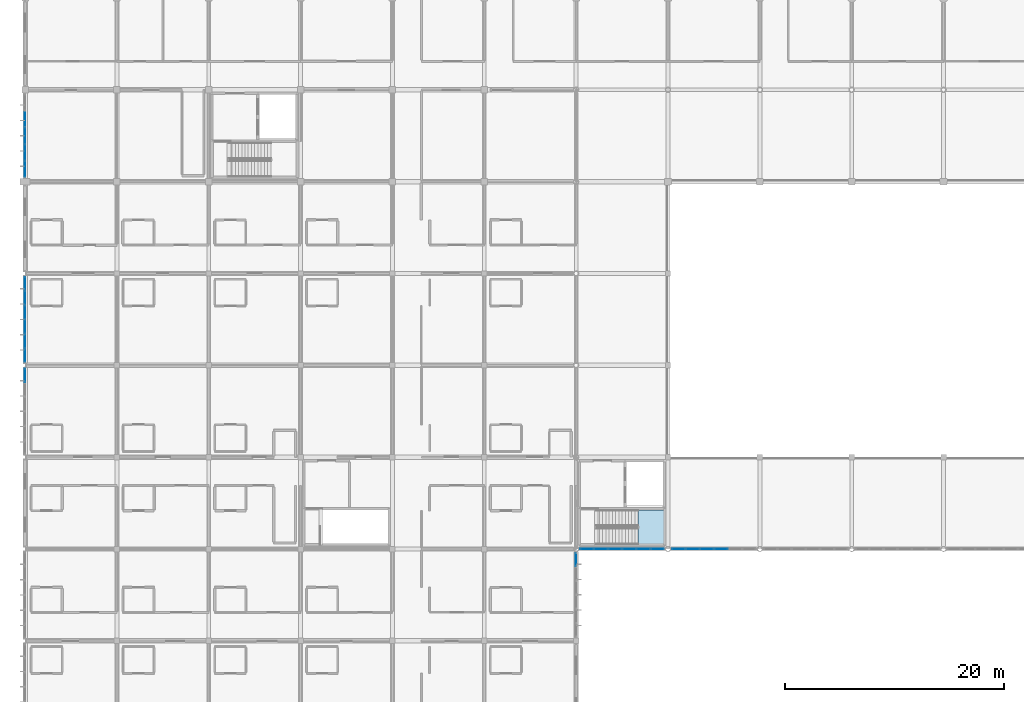
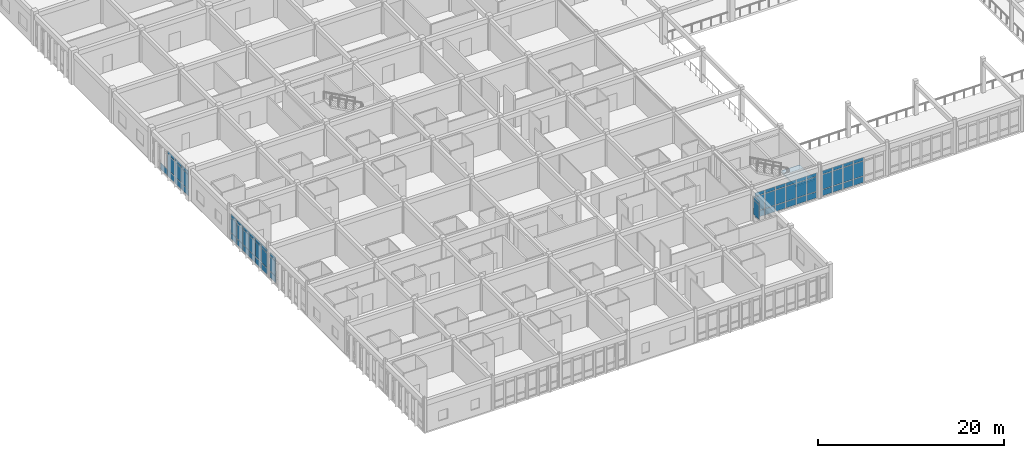
# One storey, part 72 of 144: 63 plates, 1 slab, 7 elements without a shape of their own.
"""IFC4 building model written with IfcOpenShell, lengths in metres."""

from ifc_helpers import new_model, si_unit, direction, frame, origin, origin_2d, place, context, subcontext, project, spatial, polyline, rectangle, outline, extrude, material, layer, layer_set, type_object, element, aggregate, save


model = new_model("IFC4")

# Units and contexts
model_context = context("Model", 3, precision=1e-05, world=origin(), true_north=direction((0.0, 1.0)))
body_context = subcontext(model_context, "Body", "Model", "MODEL_VIEW")
ifc_project = project(units=[si_unit("LENGTHUNIT", "METRE"), si_unit("AREAUNIT", "SQUARE_METRE"), si_unit("VOLUMEUNIT", "CUBIC_METRE"), si_unit("PLANEANGLEUNIT", "RADIAN"), si_unit("MASSUNIT", "GRAM", prefix="KILO")], contexts=[model_context])

# Site, building, storey
site_placement = place(None, origin())
site = spatial("IfcSite", under=ifc_project, at=site_placement, CompositionType="ELEMENT")
building_placement = place(site_placement, origin())
building = spatial("IfcBuilding", under=site, at=building_placement, Name="Bramfleet General Hospital", CompositionType="ELEMENT")
storey_placement = place(building_placement, frame((0.0, 0.0, 4.800048828125)))
storey = spatial("IfcBuildingStorey", under=building, at=storey_placement, Name="L01", CompositionType="ELEMENT", Elevation=4.800048828125)

# Curtain wall, plates
ifc_material_1 = material(Name="Anodised aluminium and low-E triple glazing", Category="aluminium")
ifc_layer_1 = layer(ifc_material_1, 0.179931640625, Name="CWT-CW-03")
ifc_layer_set_1 = layer_set([ifc_layer_1], Name="Anodised aluminium and low-E triple glazing")
curtain_wall_type_1 = type_object("IfcCurtainWallType", Name="CWT-CW-03", PredefinedType="USERDEFINED", material=ifc_layer_set_1)
curtain_wall_1_placement = place(storey_placement, origin())
curtain_wall_1 = element("IfcCurtainWall", 1, at=curtain_wall_1_placement, inside=storey, type_object=curtain_wall_type_1, Name="L01 Curtain Wall 93", ObjectType="Unitised curtain wall", PredefinedType="USERDEFINED")
ifc_material_2 = material(Name="Low-E laminated safety glass", Category="glass")
ifc_layer_2 = layer(ifc_material_2, 0.028076171875, Name="CWP-GLZ-1")
ifc_layer_set_2 = layer_set([ifc_layer_2], Name="Low-E laminated safety glass")
plate_type_1 = type_object("IfcPlateType", Name="CWP-GLZ-1", PredefinedType="CURTAIN_PANEL", material=ifc_layer_set_2)
plate_1_placement = place(storey_placement, frame((0.0, 51.5576171875, 0.06494140625), z_axis=(0.0, 0.0, 1.0), x_axis=(0.0, 1.0, 0.0)))
plate_1 = element("IfcPlate", 2, at=plate_1_placement, type_object=plate_type_1, Name="CW-03 panel 1.1", PredefinedType="CURTAIN_PANEL", context=body_context, shape_type="SweptSolid", body=[
    extrude(rectangle(XDim=1.425048828125, YDim=0.028076171875, at=origin_2d()), origin(), (0.0, 0.0, 1.0), 0.802490234375),
])
plate_2_placement = place(storey_placement, frame((0.0, 51.5576171875, 0.9326171875), z_axis=(0.0, 0.0, 1.0), x_axis=(0.0, 1.0, 0.0)))
plate_2 = element("IfcPlate", 3, at=plate_2_placement, type_object=plate_type_1, Name="CW-03 panel 1.2", PredefinedType="CURTAIN_PANEL", context=body_context, shape_type="SweptSolid", body=[
    extrude(rectangle(XDim=1.425048828125, YDim=0.028076171875, at=origin_2d()), origin(), (0.0, 0.0, 1.0), 1.925048828125),
])
plate_3_placement = place(storey_placement, frame((0.0, 51.5576171875, 2.92236328125), z_axis=(0.0, 0.0, 1.0), x_axis=(0.0, 1.0, 0.0)))
plate_3 = element("IfcPlate", 4, at=plate_3_placement, type_object=plate_type_1, Name="CW-03 panel 1.3", PredefinedType="CURTAIN_PANEL", context=body_context, shape_type="SweptSolid", body=[
    extrude(rectangle(XDim=1.425048828125, YDim=0.028076171875, at=origin_2d()), origin(), (0.0, 0.0, 1.0), 0.452392578125),
])
plate_4_placement = place(storey_placement, frame((0.0, 53.070068359375, 0.06494140625), z_axis=(0.0, 0.0, 1.0), x_axis=(0.0, 1.0, 0.0)))
plate_4 = element("IfcPlate", 5, at=plate_4_placement, type_object=plate_type_1, Name="CW-03 panel 2.1", PredefinedType="CURTAIN_PANEL", context=body_context, shape_type="SweptSolid", body=[
    extrude(rectangle(XDim=1.4599609375, YDim=0.028076171875, at=origin_2d()), origin(), (0.0, 0.0, 1.0), 0.802490234375),
])
plate_5_placement = place(storey_placement, frame((0.0, 53.070068359375, 0.9326171875), z_axis=(0.0, 0.0, 1.0), x_axis=(0.0, 1.0, 0.0)))
plate_5 = element("IfcPlate", 6, at=plate_5_placement, type_object=plate_type_1, Name="CW-03 panel 2.2", PredefinedType="CURTAIN_PANEL", context=body_context, shape_type="SweptSolid", body=[
    extrude(rectangle(XDim=1.4599609375, YDim=0.028076171875, at=origin_2d()), origin(), (0.0, 0.0, 1.0), 1.925048828125),
])
plate_6_placement = place(storey_placement, frame((0.0, 53.070068359375, 2.92236328125), z_axis=(0.0, 0.0, 1.0), x_axis=(0.0, 1.0, 0.0)))
plate_6 = element("IfcPlate", 7, at=plate_6_placement, type_object=plate_type_1, Name="CW-03 panel 2.3", PredefinedType="CURTAIN_PANEL", context=body_context, shape_type="SweptSolid", body=[
    extrude(rectangle(XDim=1.4599609375, YDim=0.028076171875, at=origin_2d()), origin(), (0.0, 0.0, 1.0), 0.452392578125),
])
plate_7_placement = place(storey_placement, frame((0.0, 54.60009765625, 0.06494140625), z_axis=(0.0, 0.0, 1.0), x_axis=(0.0, 1.0, 0.0)))
plate_7 = element("IfcPlate", 8, at=plate_7_placement, type_object=plate_type_1, Name="CW-03 panel 3.1", PredefinedType="CURTAIN_PANEL", context=body_context, shape_type="SweptSolid", body=[
    extrude(rectangle(XDim=1.4599609375, YDim=0.028076171875, at=origin_2d()), origin(), (0.0, 0.0, 1.0), 0.802490234375),
])
plate_8_placement = place(storey_placement, frame((0.0, 54.60009765625, 0.9326171875), z_axis=(0.0, 0.0, 1.0), x_axis=(0.0, 1.0, 0.0)))
plate_8 = element("IfcPlate", 9, at=plate_8_placement, type_object=plate_type_1, Name="CW-03 panel 3.2", PredefinedType="CURTAIN_PANEL", context=body_context, shape_type="SweptSolid", body=[
    extrude(rectangle(XDim=1.4599609375, YDim=0.028076171875, at=origin_2d()), origin(), (0.0, 0.0, 1.0), 1.925048828125),
])
plate_9_placement = place(storey_placement, frame((0.0, 54.60009765625, 2.92236328125), z_axis=(0.0, 0.0, 1.0), x_axis=(0.0, 1.0, 0.0)))
plate_9 = element("IfcPlate", 10, at=plate_9_placement, type_object=plate_type_1, Name="CW-03 panel 3.3", PredefinedType="CURTAIN_PANEL", context=body_context, shape_type="SweptSolid", body=[
    extrude(rectangle(XDim=1.4599609375, YDim=0.028076171875, at=origin_2d()), origin(), (0.0, 0.0, 1.0), 0.452392578125),
])
plate_10_placement = place(storey_placement, frame((0.0, 56.1298828125, 0.06494140625), z_axis=(0.0, 0.0, 1.0), x_axis=(0.0, 1.0, 0.0)))
plate_10 = element("IfcPlate", 11, at=plate_10_placement, type_object=plate_type_1, Name="CW-03 panel 4.1", PredefinedType="CURTAIN_PANEL", context=body_context, shape_type="SweptSolid", body=[
    extrude(rectangle(XDim=1.4599609375, YDim=0.028076171875, at=origin_2d()), origin(), (0.0, 0.0, 1.0), 0.802490234375),
])
aggregate(curtain_wall_1, [plate_1, plate_2, plate_3, plate_4, plate_5, plate_6, plate_7, plate_8, plate_9, plate_10])

ifc_layer_3 = layer(ifc_material_1, 0.179931640625, Name="CWT-CW-10")
ifc_layer_set_3 = layer_set([ifc_layer_3], Name="Anodised aluminium and low-E triple glazing")
curtain_wall_type_2 = type_object("IfcCurtainWallType", Name="CWT-CW-10", PredefinedType="USERDEFINED", material=ifc_layer_set_3)
curtain_wall_2_placement = place(storey_placement, origin())
curtain_wall_2 = element("IfcCurtainWall", 12, at=curtain_wall_2_placement, inside=storey, type_object=curtain_wall_type_2, Name="L01 Curtain Wall 82", ObjectType="Stick curtain wall", PredefinedType="USERDEFINED")
ifc_layer_4 = layer(ifc_material_2, 0.031982421875, Name="CWP-GLZ-2")
ifc_layer_set_4 = layer_set([ifc_layer_4], Name="Low-E laminated safety glass")
plate_type_2 = type_object("IfcPlateType", Name="CWP-GLZ-2", PredefinedType="CURTAIN_PANEL", material=ifc_layer_set_4)
plate_11_placement = place(storey_placement, frame((63.6494140625, 16.800048828125, 0.06494140625), z_axis=(0.0, 0.0, 1.0), x_axis=(-1.0, 0.0, 0.0)))
plate_11 = element("IfcPlate", 13, at=plate_11_placement, type_object=plate_type_2, Name="CW-10 panel 3.1", PredefinedType="CURTAIN_PANEL", context=body_context, shape_type="SweptSolid", body=[
    extrude(rectangle(XDim=1.22412109375, YDim=0.031982421875, at=origin_2d()), origin(), (0.0, 0.0, 1.0), 0.802490234375),
])
plate_12_placement = place(storey_placement, frame((63.6494140625, 16.800048828125, 0.9326171875), z_axis=(0.0, 0.0, 1.0), x_axis=(-1.0, 0.0, 0.0)))
plate_12 = element("IfcPlate", 14, at=plate_12_placement, type_object=plate_type_2, Name="CW-10 panel 3.2", PredefinedType="CURTAIN_PANEL", context=body_context, shape_type="SweptSolid", body=[
    extrude(rectangle(XDim=1.22412109375, YDim=0.031982421875, at=origin_2d()), origin(), (0.0, 0.0, 1.0), 1.925048828125),
])
plate_13_placement = place(storey_placement, frame((63.6494140625, 16.800048828125, 2.92236328125), z_axis=(0.0, 0.0, 1.0), x_axis=(-1.0, 0.0, 0.0)))
plate_13 = element("IfcPlate", 15, at=plate_13_placement, type_object=plate_type_2, Name="CW-10 panel 3.3", PredefinedType="CURTAIN_PANEL", context=body_context, shape_type="SweptSolid", body=[
    extrude(rectangle(XDim=1.22412109375, YDim=0.031982421875, at=origin_2d()), origin(), (0.0, 0.0, 1.0), 0.452392578125),
])
plate_14_placement = place(storey_placement, frame((62.3505859375, 16.800048828125, 0.06494140625), z_axis=(0.0, 0.0, 1.0), x_axis=(-1.0, 0.0, 0.0)))
plate_14 = element("IfcPlate", 16, at=plate_14_placement, type_object=plate_type_2, Name="CW-10 panel 4.1", PredefinedType="CURTAIN_PANEL", context=body_context, shape_type="SweptSolid", body=[
    extrude(rectangle(XDim=1.22412109375, YDim=0.031982421875, at=origin_2d()), origin(), (0.0, 0.0, 1.0), 0.802490234375),
])
plate_15_placement = place(storey_placement, frame((62.3505859375, 16.800048828125, 0.9326171875), z_axis=(0.0, 0.0, 1.0), x_axis=(-1.0, 0.0, 0.0)))
plate_15 = element("IfcPlate", 17, at=plate_15_placement, type_object=plate_type_2, Name="CW-10 panel 4.2", PredefinedType="CURTAIN_PANEL", context=body_context, shape_type="SweptSolid", body=[
    extrude(rectangle(XDim=1.22412109375, YDim=0.031982421875, at=origin_2d()), origin(), (0.0, 0.0, 1.0), 1.925048828125),
])
plate_16_placement = place(storey_placement, frame((62.3505859375, 16.800048828125, 2.92236328125), z_axis=(0.0, 0.0, 1.0), x_axis=(-1.0, 0.0, 0.0)))
plate_16 = element("IfcPlate", 18, at=plate_16_placement, type_object=plate_type_2, Name="CW-10 panel 4.3", PredefinedType="CURTAIN_PANEL", context=body_context, shape_type="SweptSolid", body=[
    extrude(rectangle(XDim=1.22412109375, YDim=0.031982421875, at=origin_2d()), origin(), (0.0, 0.0, 1.0), 0.452392578125),
])
plate_17_placement = place(storey_placement, frame((61.051513671875, 16.800048828125, 0.06494140625), z_axis=(0.0, 0.0, 1.0), x_axis=(-1.0, 0.0, 0.0)))
plate_17 = element("IfcPlate", 19, at=plate_17_placement, type_object=plate_type_2, Name="CW-10 panel 5.1", PredefinedType="CURTAIN_PANEL", context=body_context, shape_type="SweptSolid", body=[
    extrude(rectangle(XDim=1.22412109375, YDim=0.031982421875, at=origin_2d()), origin(), (0.0, 0.0, 1.0), 0.802490234375),
])
plate_18_placement = place(storey_placement, frame((61.051513671875, 16.800048828125, 0.9326171875), z_axis=(0.0, 0.0, 1.0), x_axis=(-1.0, 0.0, 0.0)))
plate_18 = element("IfcPlate", 20, at=plate_18_placement, type_object=plate_type_2, Name="CW-10 panel 5.2", PredefinedType="CURTAIN_PANEL", context=body_context, shape_type="SweptSolid", body=[
    extrude(rectangle(XDim=1.22412109375, YDim=0.031982421875, at=origin_2d()), origin(), (0.0, 0.0, 1.0), 1.925048828125),
])
plate_19_placement = place(storey_placement, frame((61.051513671875, 16.800048828125, 2.92236328125), z_axis=(0.0, 0.0, 1.0), x_axis=(-1.0, 0.0, 0.0)))
plate_19 = element("IfcPlate", 21, at=plate_19_placement, type_object=plate_type_2, Name="CW-10 panel 5.3", PredefinedType="CURTAIN_PANEL", context=body_context, shape_type="SweptSolid", body=[
    extrude(rectangle(XDim=1.22412109375, YDim=0.031982421875, at=origin_2d()), origin(), (0.0, 0.0, 1.0), 0.452392578125),
])
plate_20_placement = place(storey_placement, frame((59.771240234375, 16.800048828125, 0.06494140625), z_axis=(0.0, 0.0, 1.0), x_axis=(-1.0, 0.0, 0.0)))
plate_20 = element("IfcPlate", 22, at=plate_20_placement, type_object=plate_type_2, Name="CW-10 panel 6.1", PredefinedType="CURTAIN_PANEL", context=body_context, shape_type="SweptSolid", body=[
    extrude(rectangle(XDim=1.1865234375, YDim=0.031982421875, at=origin_2d()), origin(), (0.0, 0.0, 1.0), 0.802490234375),
])
plate_21_placement = place(storey_placement, frame((59.771240234375, 16.800048828125, 0.9326171875), z_axis=(0.0, 0.0, 1.0), x_axis=(-1.0, 0.0, 0.0)))
plate_21 = element("IfcPlate", 23, at=plate_21_placement, type_object=plate_type_2, Name="CW-10 panel 6.2", PredefinedType="CURTAIN_PANEL", context=body_context, shape_type="SweptSolid", body=[
    extrude(rectangle(XDim=1.1865234375, YDim=0.031982421875, at=origin_2d()), origin(), (0.0, 0.0, 1.0), 1.925048828125),
])
plate_22_placement = place(storey_placement, frame((59.771240234375, 16.800048828125, 2.92236328125), z_axis=(0.0, 0.0, 1.0), x_axis=(-1.0, 0.0, 0.0)))
plate_22 = element("IfcPlate", 24, at=plate_22_placement, type_object=plate_type_2, Name="CW-10 panel 6.3", PredefinedType="CURTAIN_PANEL", context=body_context, shape_type="SweptSolid", body=[
    extrude(rectangle(XDim=1.1865234375, YDim=0.031982421875, at=origin_2d()), origin(), (0.0, 0.0, 1.0), 0.452392578125),
])
aggregate(curtain_wall_2, [plate_11, plate_12, plate_13, plate_14, plate_15, plate_16, plate_17, plate_18, plate_19, plate_20, plate_21, plate_22])

ifc_layer_5 = layer(ifc_material_1, 0.179931640625, Name="CWT-CW-11")
ifc_layer_set_5 = layer_set([ifc_layer_5], Name="Anodised aluminium and low-E triple glazing")
curtain_wall_type_3 = type_object("IfcCurtainWallType", Name="CWT-CW-11", PredefinedType="USERDEFINED", material=ifc_layer_set_5)
curtain_wall_3_placement = place(storey_placement, origin())
curtain_wall_3 = element("IfcCurtainWall", 25, at=curtain_wall_3_placement, inside=storey, type_object=curtain_wall_type_3, Name="L01 Curtain Wall 83", ObjectType="Stick curtain wall", PredefinedType="USERDEFINED")
ifc_layer_6 = layer(ifc_material_2, 0.035888671875, Name="CWP-GLZ-3")
ifc_layer_set_6 = layer_set([ifc_layer_6], Name="Low-E laminated safety glass")
plate_type_3 = type_object("IfcPlateType", Name="CWP-GLZ-3", PredefinedType="CURTAIN_PANEL", material=ifc_layer_set_6)
plate_23_placement = place(storey_placement, frame((57.827880859375, 16.800048828125, 0.06494140625), z_axis=(0.0, 0.0, 1.0), x_axis=(-1.0, 0.0, 0.0)))
plate_23 = element("IfcPlate", 26, at=plate_23_placement, type_object=plate_type_3, Name="CW-11 panel 1.1", PredefinedType="CURTAIN_PANEL", context=body_context, shape_type="SweptSolid", body=[
    extrude(rectangle(XDim=1.186279296875, YDim=0.035888671875, at=origin_2d()), origin(), (0.0, 0.0, 1.0), 0.802490234375),
])
plate_24_placement = place(storey_placement, frame((57.827880859375, 16.800048828125, 0.9326171875), z_axis=(0.0, 0.0, 1.0), x_axis=(-1.0, 0.0, 0.0)))
plate_24 = element("IfcPlate", 27, at=plate_24_placement, type_object=plate_type_3, Name="CW-11 panel 1.2", PredefinedType="CURTAIN_PANEL", context=body_context, shape_type="SweptSolid", body=[
    extrude(rectangle(XDim=1.186279296875, YDim=0.035888671875, at=origin_2d()), origin(), (0.0, 0.0, 1.0), 1.925048828125),
])
plate_25_placement = place(storey_placement, frame((57.827880859375, 16.800048828125, 2.92236328125), z_axis=(0.0, 0.0, 1.0), x_axis=(-1.0, 0.0, 0.0)))
plate_25 = element("IfcPlate", 28, at=plate_25_placement, type_object=plate_type_3, Name="CW-11 panel 1.3", PredefinedType="CURTAIN_PANEL", context=body_context, shape_type="SweptSolid", body=[
    extrude(rectangle(XDim=1.186279296875, YDim=0.035888671875, at=origin_2d()), origin(), (0.0, 0.0, 1.0), 0.452392578125),
])
plate_26_placement = place(storey_placement, frame((56.5478515625, 16.800048828125, 0.06494140625), z_axis=(0.0, 0.0, 1.0), x_axis=(-1.0, 0.0, 0.0)))
plate_26 = element("IfcPlate", 29, at=plate_26_placement, type_object=plate_type_3, Name="CW-11 panel 2.1", PredefinedType="CURTAIN_PANEL", context=body_context, shape_type="SweptSolid", body=[
    extrude(rectangle(XDim=1.223876953125, YDim=0.035888671875, at=origin_2d()), origin(), (0.0, 0.0, 1.0), 0.802490234375),
])
plate_27_placement = place(storey_placement, frame((56.5478515625, 16.800048828125, 0.9326171875), z_axis=(0.0, 0.0, 1.0), x_axis=(-1.0, 0.0, 0.0)))
plate_27 = element("IfcPlate", 30, at=plate_27_placement, type_object=plate_type_3, Name="CW-11 panel 2.2", PredefinedType="CURTAIN_PANEL", context=body_context, shape_type="SweptSolid", body=[
    extrude(rectangle(XDim=1.223876953125, YDim=0.035888671875, at=origin_2d()), origin(), (0.0, 0.0, 1.0), 1.925048828125),
])
plate_28_placement = place(storey_placement, frame((56.5478515625, 16.800048828125, 2.92236328125), z_axis=(0.0, 0.0, 1.0), x_axis=(-1.0, 0.0, 0.0)))
plate_28 = element("IfcPlate", 31, at=plate_28_placement, type_object=plate_type_3, Name="CW-11 panel 2.3", PredefinedType="CURTAIN_PANEL", context=body_context, shape_type="SweptSolid", body=[
    extrude(rectangle(XDim=1.223876953125, YDim=0.035888671875, at=origin_2d()), origin(), (0.0, 0.0, 1.0), 0.452392578125),
])
plate_29_placement = place(storey_placement, frame((55.2490234375, 16.800048828125, 0.06494140625), z_axis=(0.0, 0.0, 1.0), x_axis=(-1.0, 0.0, 0.0)))
plate_29 = element("IfcPlate", 32, at=plate_29_placement, type_object=plate_type_3, Name="CW-11 panel 3.1", PredefinedType="CURTAIN_PANEL", context=body_context, shape_type="SweptSolid", body=[
    extrude(rectangle(XDim=1.223876953125, YDim=0.035888671875, at=origin_2d()), origin(), (0.0, 0.0, 1.0), 0.802490234375),
])
plate_30_placement = place(storey_placement, frame((55.2490234375, 16.800048828125, 0.9326171875), z_axis=(0.0, 0.0, 1.0), x_axis=(-1.0, 0.0, 0.0)))
plate_30 = element("IfcPlate", 33, at=plate_30_placement, type_object=plate_type_3, Name="CW-11 panel 3.2", PredefinedType="CURTAIN_PANEL", context=body_context, shape_type="SweptSolid", body=[
    extrude(rectangle(XDim=1.223876953125, YDim=0.035888671875, at=origin_2d()), origin(), (0.0, 0.0, 1.0), 1.925048828125),
])
plate_31_placement = place(storey_placement, frame((55.2490234375, 16.800048828125, 2.92236328125), z_axis=(0.0, 0.0, 1.0), x_axis=(-1.0, 0.0, 0.0)))
plate_31 = element("IfcPlate", 34, at=plate_31_placement, type_object=plate_type_3, Name="CW-11 panel 3.3", PredefinedType="CURTAIN_PANEL", context=body_context, shape_type="SweptSolid", body=[
    extrude(rectangle(XDim=1.223876953125, YDim=0.035888671875, at=origin_2d()), origin(), (0.0, 0.0, 1.0), 0.452392578125),
])
plate_32_placement = place(storey_placement, frame((53.9501953125, 16.800048828125, 0.06494140625), z_axis=(0.0, 0.0, 1.0), x_axis=(-1.0, 0.0, 0.0)))
plate_32 = element("IfcPlate", 35, at=plate_32_placement, type_object=plate_type_3, Name="CW-11 panel 4.1", PredefinedType="CURTAIN_PANEL", context=body_context, shape_type="SweptSolid", body=[
    extrude(rectangle(XDim=1.223876953125, YDim=0.035888671875, at=origin_2d()), origin(), (0.0, 0.0, 1.0), 0.802490234375),
])
plate_33_placement = place(storey_placement, frame((53.9501953125, 16.800048828125, 0.9326171875), z_axis=(0.0, 0.0, 1.0), x_axis=(-1.0, 0.0, 0.0)))
plate_33 = element("IfcPlate", 36, at=plate_33_placement, type_object=plate_type_3, Name="CW-11 panel 4.2", PredefinedType="CURTAIN_PANEL", context=body_context, shape_type="SweptSolid", body=[
    extrude(rectangle(XDim=1.223876953125, YDim=0.035888671875, at=origin_2d()), origin(), (0.0, 0.0, 1.0), 1.925048828125),
])
plate_34_placement = place(storey_placement, frame((53.9501953125, 16.800048828125, 2.92236328125), z_axis=(0.0, 0.0, 1.0), x_axis=(-1.0, 0.0, 0.0)))
plate_34 = element("IfcPlate", 37, at=plate_34_placement, type_object=plate_type_3, Name="CW-11 panel 4.3", PredefinedType="CURTAIN_PANEL", context=body_context, shape_type="SweptSolid", body=[
    extrude(rectangle(XDim=1.223876953125, YDim=0.035888671875, at=origin_2d()), origin(), (0.0, 0.0, 1.0), 0.452392578125),
])
plate_35_placement = place(storey_placement, frame((52.6513671875, 16.800048828125, 0.06494140625), z_axis=(0.0, 0.0, 1.0), x_axis=(-1.0, 0.0, 0.0)))
plate_35 = element("IfcPlate", 38, at=plate_35_placement, type_object=plate_type_3, Name="CW-11 panel 5.1", PredefinedType="CURTAIN_PANEL", context=body_context, shape_type="SweptSolid", body=[
    extrude(rectangle(XDim=1.223876953125, YDim=0.035888671875, at=origin_2d()), origin(), (0.0, 0.0, 1.0), 0.802490234375),
])
plate_36_placement = place(storey_placement, frame((52.6513671875, 16.800048828125, 0.9326171875), z_axis=(0.0, 0.0, 1.0), x_axis=(-1.0, 0.0, 0.0)))
plate_36 = element("IfcPlate", 39, at=plate_36_placement, type_object=plate_type_3, Name="CW-11 panel 5.2", PredefinedType="CURTAIN_PANEL", context=body_context, shape_type="SweptSolid", body=[
    extrude(rectangle(XDim=1.223876953125, YDim=0.035888671875, at=origin_2d()), origin(), (0.0, 0.0, 1.0), 1.925048828125),
])
plate_37_placement = place(storey_placement, frame((52.6513671875, 16.800048828125, 2.92236328125), z_axis=(0.0, 0.0, 1.0), x_axis=(-1.0, 0.0, 0.0)))
plate_37 = element("IfcPlate", 40, at=plate_37_placement, type_object=plate_type_3, Name="CW-11 panel 5.3", PredefinedType="CURTAIN_PANEL", context=body_context, shape_type="SweptSolid", body=[
    extrude(rectangle(XDim=1.223876953125, YDim=0.035888671875, at=origin_2d()), origin(), (0.0, 0.0, 1.0), 0.452392578125),
])
plate_38_placement = place(storey_placement, frame((51.37109375, 16.800048828125, 0.06494140625), z_axis=(0.0, 0.0, 1.0), x_axis=(-1.0, 0.0, 0.0)))
plate_38 = element("IfcPlate", 41, at=plate_38_placement, type_object=plate_type_3, Name="CW-11 panel 6.1", PredefinedType="CURTAIN_PANEL", context=body_context, shape_type="SweptSolid", body=[
    extrude(rectangle(XDim=1.186279296875, YDim=0.035888671875, at=origin_2d()), origin(), (0.0, 0.0, 1.0), 0.802490234375),
])
plate_39_placement = place(storey_placement, frame((51.37109375, 16.800048828125, 0.9326171875), z_axis=(0.0, 0.0, 1.0), x_axis=(-1.0, 0.0, 0.0)))
plate_39 = element("IfcPlate", 42, at=plate_39_placement, type_object=plate_type_3, Name="CW-11 panel 6.2", PredefinedType="CURTAIN_PANEL", context=body_context, shape_type="SweptSolid", body=[
    extrude(rectangle(XDim=1.186279296875, YDim=0.035888671875, at=origin_2d()), origin(), (0.0, 0.0, 1.0), 1.925048828125),
])
plate_40_placement = place(storey_placement, frame((51.37109375, 16.800048828125, 2.92236328125), z_axis=(0.0, 0.0, 1.0), x_axis=(-1.0, 0.0, 0.0)))
plate_40 = element("IfcPlate", 43, at=plate_40_placement, type_object=plate_type_3, Name="CW-11 panel 6.3", PredefinedType="CURTAIN_PANEL", context=body_context, shape_type="SweptSolid", body=[
    extrude(rectangle(XDim=1.186279296875, YDim=0.035888671875, at=origin_2d()), origin(), (0.0, 0.0, 1.0), 0.452392578125),
])
aggregate(curtain_wall_3, [plate_23, plate_24, plate_25, plate_26, plate_27, plate_28, plate_29, plate_30, plate_31, plate_32, plate_33, plate_34, plate_35, plate_36, plate_37, plate_38, plate_39, plate_40])

ifc_layer_7 = layer(ifc_material_1, 0.179931640625, Name="CWT-CW-01")
ifc_layer_set_7 = layer_set([ifc_layer_7], Name="Anodised aluminium and low-E triple glazing")
curtain_wall_type_4 = type_object("IfcCurtainWallType", Name="CWT-CW-01", PredefinedType="USERDEFINED", material=ifc_layer_set_7)
curtain_wall_4_placement = place(storey_placement, origin())
curtain_wall_4 = element("IfcCurtainWall", 44, at=curtain_wall_4_placement, inside=storey, type_object=curtain_wall_type_4, Name="L01 Curtain Wall 91", ObjectType="Unitised curtain wall", PredefinedType="USERDEFINED")
plate_41_placement = place(storey_placement, frame((0.0, 32.669921875, 0.06494140625), z_axis=(0.0, 0.0, 1.0), x_axis=(0.0, 1.0, 0.0)))
plate_41 = element("IfcPlate", 45, at=plate_41_placement, type_object=plate_type_3, Name="CW-01 panel 6.1", PredefinedType="CURTAIN_PANEL", context=body_context, shape_type="SweptSolid", body=[
    extrude(rectangle(XDim=1.2099609375, YDim=0.035888671875, at=origin_2d()), origin(), (0.0, 0.0, 1.0), 0.802490234375),
])
plate_42_placement = place(storey_placement, frame((0.0, 32.669921875, 0.9326171875), z_axis=(0.0, 0.0, 1.0), x_axis=(0.0, 1.0, 0.0)))
plate_42 = element("IfcPlate", 46, at=plate_42_placement, type_object=plate_type_3, Name="CW-01 panel 6.2", PredefinedType="CURTAIN_PANEL", context=body_context, shape_type="SweptSolid", body=[
    extrude(rectangle(XDim=1.2099609375, YDim=0.035888671875, at=origin_2d()), origin(), (0.0, 0.0, 1.0), 1.925048828125),
])
plate_43_placement = place(storey_placement, frame((0.0, 32.669921875, 2.92236328125), z_axis=(0.0, 0.0, 1.0), x_axis=(0.0, 1.0, 0.0)))
plate_43 = element("IfcPlate", 47, at=plate_43_placement, type_object=plate_type_3, Name="CW-01 panel 6.3", PredefinedType="CURTAIN_PANEL", context=body_context, shape_type="SweptSolid", body=[
    extrude(rectangle(XDim=1.2099609375, YDim=0.035888671875, at=origin_2d()), origin(), (0.0, 0.0, 1.0), 0.452392578125),
])
aggregate(curtain_wall_4, [plate_41, plate_42, plate_43])

ifc_layer_8 = layer(ifc_material_1, 0.179931640625, Name="CWT-CW-12")
ifc_layer_set_8 = layer_set([ifc_layer_8], Name="Anodised aluminium and low-E triple glazing")
curtain_wall_type_5 = type_object("IfcCurtainWallType", Name="CWT-CW-12", PredefinedType="USERDEFINED", material=ifc_layer_set_8)
curtain_wall_5_placement = place(storey_placement, origin())
curtain_wall_5 = element("IfcCurtainWall", 48, at=curtain_wall_5_placement, inside=storey, type_object=curtain_wall_type_5, Name="L01 Curtain Wall 84", ObjectType="Stick curtain wall", PredefinedType="USERDEFINED")
ifc_layer_9 = layer(ifc_material_2, 0.0419921875, Name="CWP-GLZ-4")
ifc_layer_set_9 = layer_set([ifc_layer_9], Name="Low-E laminated safety glass")
plate_type_4 = type_object("IfcPlateType", Name="CWP-GLZ-4", PredefinedType="CURTAIN_PANEL", material=ifc_layer_set_9)
plate_44_placement = place(storey_placement, frame((50.39990234375, 15.831787109375, 0.9326171875), z_axis=(0.0, 0.0, 1.0), x_axis=(0.0, -1.0, 0.0)))
plate_44 = element("IfcPlate", 49, at=plate_44_placement, type_object=plate_type_4, Name="CW-12 panel 1.2", PredefinedType="CURTAIN_PANEL", context=body_context, shape_type="SweptSolid", body=[
    extrude(rectangle(XDim=1.1904296875, YDim=0.0419921875, at=origin_2d()), origin(), (0.0, 0.0, 1.0), 1.925048828125),
])
plate_45_placement = place(storey_placement, frame((50.39990234375, 15.831787109375, 2.92236328125), z_axis=(0.0, 0.0, 1.0), x_axis=(0.0, -1.0, 0.0)))
plate_45 = element("IfcPlate", 50, at=plate_45_placement, type_object=plate_type_4, Name="CW-12 panel 1.3", PredefinedType="CURTAIN_PANEL", context=body_context, shape_type="SweptSolid", body=[
    extrude(rectangle(XDim=1.1904296875, YDim=0.0419921875, at=origin_2d()), origin(), (0.0, 0.0, 1.0), 0.452392578125),
])
aggregate(curtain_wall_5, [plate_44, plate_45])

ifc_layer_10 = layer(ifc_material_1, 0.179931640625, Name="CWT-CW-02")
ifc_layer_set_10 = layer_set([ifc_layer_10], Name="Anodised aluminium and low-E triple glazing")
curtain_wall_type_6 = type_object("IfcCurtainWallType", Name="CWT-CW-02", PredefinedType="USERDEFINED", material=ifc_layer_set_10)
curtain_wall_6_placement = place(storey_placement, origin())
curtain_wall_6 = element("IfcCurtainWall", 51, at=curtain_wall_6_placement, inside=storey, type_object=curtain_wall_type_6, Name="L01 Curtain Wall 92", ObjectType="Unitised curtain wall", PredefinedType="USERDEFINED")
plate_46_placement = place(storey_placement, frame((0.0, 34.530029296875, 0.06494140625), z_axis=(0.0, 0.0, 1.0), x_axis=(0.0, 1.0, 0.0)))
plate_46 = element("IfcPlate", 52, at=plate_46_placement, type_object=plate_type_4, Name="CW-02 panel 1.1", PredefinedType="CURTAIN_PANEL", context=body_context, shape_type="SweptSolid", body=[
    extrude(rectangle(XDim=1.2099609375, YDim=0.0419921875, at=origin_2d()), origin(), (0.0, 0.0, 1.0), 0.802490234375),
])
plate_47_placement = place(storey_placement, frame((0.0, 34.530029296875, 0.9326171875), z_axis=(0.0, 0.0, 1.0), x_axis=(0.0, 1.0, 0.0)))
plate_47 = element("IfcPlate", 53, at=plate_47_placement, type_object=plate_type_4, Name="CW-02 panel 1.2", PredefinedType="CURTAIN_PANEL", context=body_context, shape_type="SweptSolid", body=[
    extrude(rectangle(XDim=1.2099609375, YDim=0.0419921875, at=origin_2d()), origin(), (0.0, 0.0, 1.0), 1.925048828125),
])
plate_48_placement = place(storey_placement, frame((0.0, 34.530029296875, 2.92236328125), z_axis=(0.0, 0.0, 1.0), x_axis=(0.0, 1.0, 0.0)))
plate_48 = element("IfcPlate", 54, at=plate_48_placement, type_object=plate_type_4, Name="CW-02 panel 1.3", PredefinedType="CURTAIN_PANEL", context=body_context, shape_type="SweptSolid", body=[
    extrude(rectangle(XDim=1.2099609375, YDim=0.0419921875, at=origin_2d()), origin(), (0.0, 0.0, 1.0), 0.452392578125),
])
plate_49_placement = place(storey_placement, frame((0.0, 35.827392578125, 0.06494140625), z_axis=(0.0, 0.0, 1.0), x_axis=(0.0, 1.0, 0.0)))
plate_49 = element("IfcPlate", 55, at=plate_49_placement, type_object=plate_type_4, Name="CW-02 panel 2.1", PredefinedType="CURTAIN_PANEL", context=body_context, shape_type="SweptSolid", body=[
    extrude(rectangle(XDim=1.2451171875, YDim=0.0419921875, at=origin_2d()), origin(), (0.0, 0.0, 1.0), 0.802490234375),
])
plate_50_placement = place(storey_placement, frame((0.0, 35.827392578125, 0.9326171875), z_axis=(0.0, 0.0, 1.0), x_axis=(0.0, 1.0, 0.0)))
plate_50 = element("IfcPlate", 56, at=plate_50_placement, type_object=plate_type_4, Name="CW-02 panel 2.2", PredefinedType="CURTAIN_PANEL", context=body_context, shape_type="SweptSolid", body=[
    extrude(rectangle(XDim=1.2451171875, YDim=0.0419921875, at=origin_2d()), origin(), (0.0, 0.0, 1.0), 1.925048828125),
])
plate_51_placement = place(storey_placement, frame((0.0, 35.827392578125, 2.92236328125), z_axis=(0.0, 0.0, 1.0), x_axis=(0.0, 1.0, 0.0)))
plate_51 = element("IfcPlate", 57, at=plate_51_placement, type_object=plate_type_4, Name="CW-02 panel 2.3", PredefinedType="CURTAIN_PANEL", context=body_context, shape_type="SweptSolid", body=[
    extrude(rectangle(XDim=1.2451171875, YDim=0.0419921875, at=origin_2d()), origin(), (0.0, 0.0, 1.0), 0.452392578125),
])
plate_52_placement = place(storey_placement, frame((0.0, 37.142578125, 0.06494140625), z_axis=(0.0, 0.0, 1.0), x_axis=(0.0, 1.0, 0.0)))
plate_52 = element("IfcPlate", 58, at=plate_52_placement, type_object=plate_type_4, Name="CW-02 panel 3.1", PredefinedType="CURTAIN_PANEL", context=body_context, shape_type="SweptSolid", body=[
    extrude(rectangle(XDim=1.2451171875, YDim=0.0419921875, at=origin_2d()), origin(), (0.0, 0.0, 1.0), 0.802490234375),
])
plate_53_placement = place(storey_placement, frame((0.0, 37.142578125, 0.9326171875), z_axis=(0.0, 0.0, 1.0), x_axis=(0.0, 1.0, 0.0)))
plate_53 = element("IfcPlate", 59, at=plate_53_placement, type_object=plate_type_4, Name="CW-02 panel 3.2", PredefinedType="CURTAIN_PANEL", context=body_context, shape_type="SweptSolid", body=[
    extrude(rectangle(XDim=1.2451171875, YDim=0.0419921875, at=origin_2d()), origin(), (0.0, 0.0, 1.0), 1.925048828125),
])
plate_54_placement = place(storey_placement, frame((0.0, 37.142578125, 2.92236328125), z_axis=(0.0, 0.0, 1.0), x_axis=(0.0, 1.0, 0.0)))
plate_54 = element("IfcPlate", 60, at=plate_54_placement, type_object=plate_type_4, Name="CW-02 panel 3.3", PredefinedType="CURTAIN_PANEL", context=body_context, shape_type="SweptSolid", body=[
    extrude(rectangle(XDim=1.2451171875, YDim=0.0419921875, at=origin_2d()), origin(), (0.0, 0.0, 1.0), 0.452392578125),
])
plate_55_placement = place(storey_placement, frame((0.0, 38.45751953125, 0.06494140625), z_axis=(0.0, 0.0, 1.0), x_axis=(0.0, 1.0, 0.0)))
plate_55 = element("IfcPlate", 61, at=plate_55_placement, type_object=plate_type_4, Name="CW-02 panel 4.1", PredefinedType="CURTAIN_PANEL", context=body_context, shape_type="SweptSolid", body=[
    extrude(rectangle(XDim=1.2451171875, YDim=0.0419921875, at=origin_2d()), origin(), (0.0, 0.0, 1.0), 0.802490234375),
])
plate_56_placement = place(storey_placement, frame((0.0, 38.45751953125, 0.9326171875), z_axis=(0.0, 0.0, 1.0), x_axis=(0.0, 1.0, 0.0)))
plate_56 = element("IfcPlate", 62, at=plate_56_placement, type_object=plate_type_4, Name="CW-02 panel 4.2", PredefinedType="CURTAIN_PANEL", context=body_context, shape_type="SweptSolid", body=[
    extrude(rectangle(XDim=1.2451171875, YDim=0.0419921875, at=origin_2d()), origin(), (0.0, 0.0, 1.0), 1.925048828125),
])
plate_57_placement = place(storey_placement, frame((0.0, 38.45751953125, 2.92236328125), z_axis=(0.0, 0.0, 1.0), x_axis=(0.0, 1.0, 0.0)))
plate_57 = element("IfcPlate", 63, at=plate_57_placement, type_object=plate_type_4, Name="CW-02 panel 4.3", PredefinedType="CURTAIN_PANEL", context=body_context, shape_type="SweptSolid", body=[
    extrude(rectangle(XDim=1.2451171875, YDim=0.0419921875, at=origin_2d()), origin(), (0.0, 0.0, 1.0), 0.452392578125),
])
plate_58_placement = place(storey_placement, frame((0.0, 39.7724609375, 0.06494140625), z_axis=(0.0, 0.0, 1.0), x_axis=(0.0, 1.0, 0.0)))
plate_58 = element("IfcPlate", 64, at=plate_58_placement, type_object=plate_type_4, Name="CW-02 panel 5.1", PredefinedType="CURTAIN_PANEL", context=body_context, shape_type="SweptSolid", body=[
    extrude(rectangle(XDim=1.2451171875, YDim=0.0419921875, at=origin_2d()), origin(), (0.0, 0.0, 1.0), 0.802490234375),
])
plate_59_placement = place(storey_placement, frame((0.0, 39.7724609375, 0.9326171875), z_axis=(0.0, 0.0, 1.0), x_axis=(0.0, 1.0, 0.0)))
plate_59 = element("IfcPlate", 65, at=plate_59_placement, type_object=plate_type_4, Name="CW-02 panel 5.2", PredefinedType="CURTAIN_PANEL", context=body_context, shape_type="SweptSolid", body=[
    extrude(rectangle(XDim=1.2451171875, YDim=0.0419921875, at=origin_2d()), origin(), (0.0, 0.0, 1.0), 1.925048828125),
])
plate_60_placement = place(storey_placement, frame((0.0, 39.7724609375, 2.92236328125), z_axis=(0.0, 0.0, 1.0), x_axis=(0.0, 1.0, 0.0)))
plate_60 = element("IfcPlate", 66, at=plate_60_placement, type_object=plate_type_4, Name="CW-02 panel 5.3", PredefinedType="CURTAIN_PANEL", context=body_context, shape_type="SweptSolid", body=[
    extrude(rectangle(XDim=1.2451171875, YDim=0.0419921875, at=origin_2d()), origin(), (0.0, 0.0, 1.0), 0.452392578125),
])
plate_61_placement = place(storey_placement, frame((0.0, 41.070068359375, 0.06494140625), z_axis=(0.0, 0.0, 1.0), x_axis=(0.0, 1.0, 0.0)))
plate_61 = element("IfcPlate", 67, at=plate_61_placement, type_object=plate_type_4, Name="CW-02 panel 6.1", PredefinedType="CURTAIN_PANEL", context=body_context, shape_type="SweptSolid", body=[
    extrude(rectangle(XDim=1.2099609375, YDim=0.0419921875, at=origin_2d()), origin(), (0.0, 0.0, 1.0), 0.802490234375),
])
plate_62_placement = place(storey_placement, frame((0.0, 41.070068359375, 0.9326171875), z_axis=(0.0, 0.0, 1.0), x_axis=(0.0, 1.0, 0.0)))
plate_62 = element("IfcPlate", 68, at=plate_62_placement, type_object=plate_type_4, Name="CW-02 panel 6.2", PredefinedType="CURTAIN_PANEL", context=body_context, shape_type="SweptSolid", body=[
    extrude(rectangle(XDim=1.2099609375, YDim=0.0419921875, at=origin_2d()), origin(), (0.0, 0.0, 1.0), 1.925048828125),
])
plate_63_placement = place(storey_placement, frame((0.0, 41.070068359375, 2.92236328125), z_axis=(0.0, 0.0, 1.0), x_axis=(0.0, 1.0, 0.0)))
plate_63 = element("IfcPlate", 69, at=plate_63_placement, type_object=plate_type_4, Name="CW-02 panel 6.3", PredefinedType="CURTAIN_PANEL", context=body_context, shape_type="SweptSolid", body=[
    extrude(rectangle(XDim=1.2099609375, YDim=0.0419921875, at=origin_2d()), origin(), (0.0, 0.0, 1.0), 0.452392578125),
])
aggregate(curtain_wall_6, [plate_46, plate_47, plate_48, plate_49, plate_50, plate_51, plate_52, plate_53, plate_54, plate_55, plate_56, plate_57, plate_58, plate_59, plate_60, plate_61, plate_62, plate_63])

# Stair, slab
ifc_material_3 = material(Name="Concrete C35/45", Category="concrete")
stair_type = type_object("IfcStairType", Name="STR-T2", PredefinedType="HALF_TURN_STAIR", material=ifc_material_3)
stair_placement = place(storey_placement, origin())
stair = element("IfcStair", 70, at=stair_placement, inside=storey, type_object=stair_type, Name="L01 Core C1 (Main Hall & Forecourt) Protected Escape Stair", PredefinedType="HALF_TURN_STAIR")
ifc_layer_11 = layer(ifc_material_3, 0.199951171875, Name="SL-LND-200")
ifc_layer_set_11 = layer_set([ifc_layer_11], Name="Concrete C35/45")
slab_type = type_object("IfcSlabType", Name="SL-LND-200", PredefinedType="LANDING", material=ifc_layer_set_11)
slab_placement = place(storey_placement, frame((0.0, 0.0, 2.050048828125)))
slab = element("IfcSlab", 71, at=slab_placement, type_object=slab_type, Name="ST-C1 landing 1", PredefinedType="LANDING", context=body_context, shape_type="SweptSolid", body=[
    extrude(outline(polyline([(56.074951171875, 17.219970703125), (58.4599609375, 17.219970703125), (58.4599609375, 20.3798828125), (56.074951171875, 20.3798828125), (56.074951171875, 17.219970703125)])), origin(), (0.0, 0.0, 1.0), 0.199951171875),
])
aggregate(stair, [slab])

save(model, "model.ifc")
